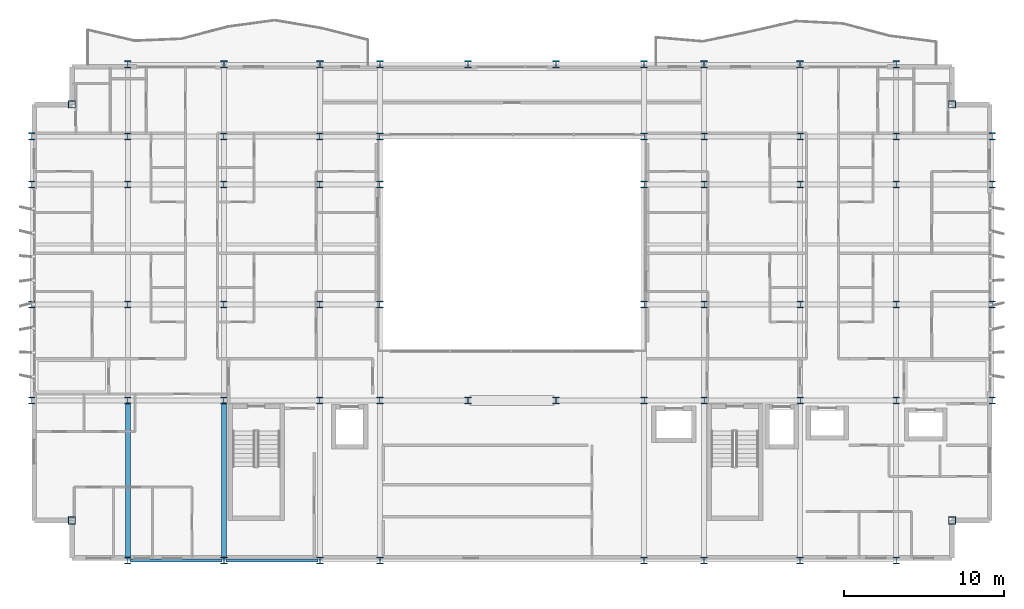
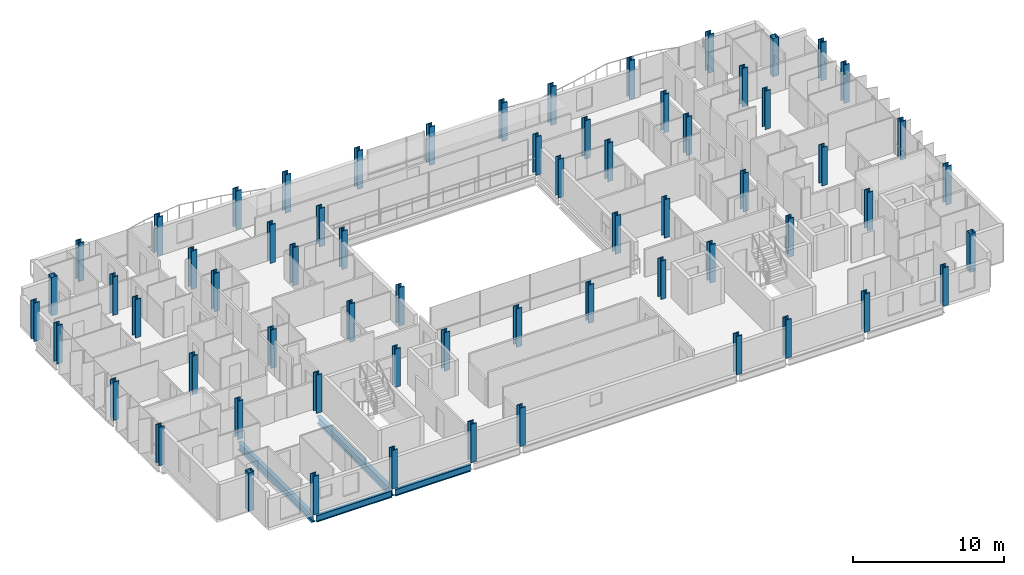
# One storey, part 1 of 39: 64 columns, 4 beams.
"""IFC4 building model written with IfcOpenShell, lengths in metres."""

import ifcopenshell
import ifcopenshell.guid

model = None  # the IFC model being written
_history = None  # IfcOwnerHistory: only IFC2X3 demands one
_inside = {}  # id of a spatial element -> (the spatial element, [elements in it])
_under = {}  # id of a project, library or spatial element -> (it, [spatial elements below it])
_declared = {}  # id of a project -> (the project, [libraries it declares])
_typed = {}  # id of a type object -> (the type object, [elements of that type])
_made_of = {}  # id of a material, layer set ... -> (it, [elements and type objects made of it])


def new_model(schema):
    """Start an empty IFC model of exactly this schema.

    Asked for "IFC4X3", IfcOpenShell would pick the latest addendum, in which some entities
    have other attributes; the version numbers below select the first issue.
    IFC2X3 requires an IfcOwnerHistory on every rooted entity: one is made here for all.
    """
    global model, _history
    if schema == "IFC4X3":
        model = ifcopenshell.file(schema_version=(4, 3, 0, 0))
    else:
        model = ifcopenshell.file(schema=schema)
    _inside.clear()
    _under.clear()
    _declared.clear()
    _typed.clear()
    _made_of.clear()
    _history = None
    if model.schema == "IFC2X3":
        org = make("IfcOrganization", Name="unknown")
        user = make(
            "IfcPersonAndOrganization",
            ThePerson=make("IfcPerson", FamilyName="unknown"),
            TheOrganization=org,
        )
        app = make(
            "IfcApplication",
            ApplicationDeveloper=org,
            Version="unknown",
            ApplicationFullName="unknown",
            ApplicationIdentifier="unknown",
        )
        _history = make(
            "IfcOwnerHistory",
            OwningUser=user,
            OwningApplication=app,
            ChangeAction="ADDED",
            CreationDate=0,
        )
    return model


def make(cls, **values):
    """One entity of the class cls with the attributes given. An attribute that is None is left unset."""
    return model.create_entity(
        cls, **{name: value for name, value in values.items() if value is not None}
    )


def rooted(cls, **values):
    """An entity with a GlobalId (a new one), such as an element, a storey or a relation."""
    return make(cls, GlobalId=ifcopenshell.guid.new(), OwnerHistory=_history, **values)


def si_unit(unit_type, name, prefix=None):
    """IfcSIUnit, for example si_unit("LENGTHUNIT", "METRE", prefix="MILLI")."""
    return make("IfcSIUnit", UnitType=unit_type, Prefix=prefix, Name=name)


def assignment(units):
    """IfcUnitAssignment: the units of a project."""
    return None if units is None else make("IfcUnitAssignment", Units=units)


def point(xyz):
    """IfcCartesianPoint."""
    return None if xyz is None else make("IfcCartesianPoint", Coordinates=xyz)


def direction(xyz):
    """IfcDirection."""
    return None if xyz is None else make("IfcDirection", DirectionRatios=xyz)


def frame(location, z_axis=None, x_axis=None):
    """IfcAxis2Placement3D, a coordinate frame: its origin and axes. An axis left out is left unset."""
    return make(
        "IfcAxis2Placement3D",
        Location=point(location),
        Axis=direction(z_axis),
        RefDirection=direction(x_axis),
    )


def frame_2d(location, x_axis=None):
    """IfcAxis2Placement2D, a coordinate frame in the plane: its origin and x axis."""
    return make(
        "IfcAxis2Placement2D", Location=point(location), RefDirection=direction(x_axis)
    )


def origin():
    """The frame at (0, 0, 0) with its axes left unset."""
    return frame((0.0, 0.0, 0.0))


def origin_2d():
    """The frame at (0, 0) in the plane with its x axis left unset."""
    return frame_2d((0.0, 0.0))


def place(relative_to, where):
    """IfcLocalPlacement: puts the frame where relative to a parent placement (None: the world)."""
    return make(
        "IfcLocalPlacement", PlacementRelTo=relative_to, RelativePlacement=where
    )


def context(
    kind, dimensions, precision=None, world=None, true_north=None, identifier=None
):
    """IfcGeometricRepresentationContext, for example the 3D "Model" context."""
    return make(
        "IfcGeometricRepresentationContext",
        ContextIdentifier=identifier,
        ContextType=kind,
        CoordinateSpaceDimension=dimensions,
        Precision=precision,
        WorldCoordinateSystem=world,
        TrueNorth=true_north,
    )


def subcontext(parent, identifier, kind, view, scale=None):
    """IfcGeometricRepresentationSubContext, for example "Body" below "Model"."""
    return make(
        "IfcGeometricRepresentationSubContext",
        ContextIdentifier=identifier,
        ContextType=kind,
        ParentContext=parent,
        TargetScale=scale,
        TargetView=view,
    )


def project(units=None, contexts=None):
    """IfcProject with its units and contexts."""
    return rooted(
        "IfcProject",
        Name="project",
        RepresentationContexts=contexts,
        UnitsInContext=assignment(units),
    )


def spatial(cls, under=None, at=None, **own):
    """A site, building, storey or space (cls), placed at a placement, below another one or the project."""
    s = rooted(cls, ObjectPlacement=at, **own)
    if under is not None:
        _under.setdefault(under.id(), (under, []))[1].append(s)
    return s


def profile(cls, at=None, kind="AREA", **sizes):
    """A parametric profile (cls). Its sizes go by their IFC names, for example OverallWidth=200.0."""
    return make(cls, ProfileType=kind, Position=at, **sizes)


def hollow_rectangle(**sizes):
    """IfcRectangleHollowProfileDef."""
    return profile("IfcRectangleHollowProfileDef", **sizes)


def i_section(**sizes):
    """IfcIShapeProfileDef."""
    return profile("IfcIShapeProfileDef", **sizes)


def extrude(swept, where, along, depth):
    """IfcExtrudedAreaSolid: the profile swept, set in the frame where, extruded along a direction by depth."""
    return make(
        "IfcExtrudedAreaSolid",
        SweptArea=swept,
        Position=where,
        ExtrudedDirection=direction(along),
        Depth=depth,
    )


def shape(context_of_items, identifier, shape_type, items):
    """IfcShapeRepresentation: the items that make up one representation, for example the "Body"."""
    return make(
        "IfcShapeRepresentation",
        ContextOfItems=context_of_items,
        RepresentationIdentifier=identifier,
        RepresentationType=shape_type,
        Items=items,
    )


def material(Name=None, Category=None):
    """IfcMaterial."""
    return make("IfcMaterial", Name=Name, Category=Category)


def material_profile(
    of_material, cross_section, Name=None, Category=None, Priority=None
):
    """IfcMaterialProfile: a cross section and its material."""
    return make(
        "IfcMaterialProfile",
        Name=Name,
        Material=of_material,
        Profile=cross_section,
        Priority=Priority,
        Category=Category,
    )


def profile_set(profiles, Name=None, composite=None):
    """IfcMaterialProfileSet."""
    return make(
        "IfcMaterialProfileSet",
        Name=Name,
        MaterialProfiles=profiles,
        CompositeProfile=composite,
    )


def made_of(thing, what):
    """Note that an element or type object is made of a material, layer set ...; save() writes the relation."""
    if what is not None:
        _made_of.setdefault(what.id(), (what, []))[1].append(thing)
    return thing


def type_object(cls, material=None, **own):
    """A type object (cls), such as IfcWallType, which elements share."""
    return made_of(rooted(cls, **own), material)


def element(
    cls,
    number,
    at=None,
    inside=None,
    cuts=None,
    type_object=None,
    material=None,
    context=None,
    identifier="Body",
    shape_type=None,
    held_by="IfcProductDefinitionShape",
    body=None,
    shapes=None,
    **own,
):
    """One element of the class cls, such as IfcWall. Its Tag is "e" and its number.

    at: its placement. inside: the storey or other place that contains it. cuts: it is an
    opening in that element (IfcRelVoidsElement). A single representation is given by context,
    identifier, shape_type and body (its items); several are given by shapes. held_by: the class
    of the entity that holds the representations. save() writes the other relations.
    """
    e = rooted(cls, Tag="e%d" % number, ObjectPlacement=at, **own)
    if body is not None:
        shapes = [shape(context, identifier, shape_type, body)]
    if shapes is not None:
        e.Representation = make(held_by, Representations=shapes)
    if inside is not None:
        _inside.setdefault(inside.id(), (inside, []))[1].append(e)
    if cuts is not None:
        rooted(
            "IfcRelVoidsElement", RelatingBuildingElement=cuts, RelatedOpeningElement=e
        )
    if type_object is not None:
        _typed.setdefault(type_object.id(), (type_object, []))[1].append(e)
    return made_of(e, material)


def aggregate(whole, parts):
    """IfcRelAggregates: a whole, such as a stair, and the parts it consists of."""
    return rooted("IfcRelAggregates", RelatingObject=whole, RelatedObjects=parts)


def save(model, path):
    """Write the relations noted so far, then the file.

    IfcRelAggregates (storeys below a building ...), IfcRelContainedInSpatialStructure (elements
    in a storey), IfcRelDefinesByType, IfcRelAssociatesMaterial and IfcRelDeclares: one each for
    every whole, place, type object, material and project.
    """
    for whole, parts in _under.values():
        aggregate(whole, parts)
    for where, things in _inside.values():
        rooted(
            "IfcRelContainedInSpatialStructure",
            RelatedElements=things,
            RelatingStructure=where,
        )
    for kind, things in _typed.values():
        rooted("IfcRelDefinesByType", RelatedObjects=things, RelatingType=kind)
    for what, things in _made_of.values():
        rooted("IfcRelAssociatesMaterial", RelatedObjects=things, RelatingMaterial=what)
    for by, libraries in _declared.values():
        rooted("IfcRelDeclares", RelatingContext=by, RelatedDefinitions=libraries)
    model.write(path)


model = new_model("IFC4")

# Units and contexts
model_context = context("Model", 3, precision=1e-05, world=origin(), true_north=direction((0.0, 1.0)))
body_context = subcontext(model_context, "Body", "Model", "MODEL_VIEW")
ifc_project = project(units=[si_unit("LENGTHUNIT", "METRE"), si_unit("AREAUNIT", "SQUARE_METRE"), si_unit("VOLUMEUNIT", "CUBIC_METRE"), si_unit("PLANEANGLEUNIT", "RADIAN"), si_unit("MASSUNIT", "GRAM", prefix="KILO")], contexts=[model_context])

# Site, building, storey
site_placement = place(None, origin())
site = spatial("IfcSite", under=ifc_project, at=site_placement, CompositionType="ELEMENT")
building_placement = place(site_placement, origin())
building = spatial("IfcBuilding", under=site, at=building_placement, Name="Brevholm Reach", CompositionType="ELEMENT")
storey_placement = place(building_placement, frame((0.0, 0.0, 83.800048828125)))
storey = spatial("IfcBuildingStorey", under=building, at=storey_placement, Name="L24", CompositionType="ELEMENT", Elevation=83.800048828125)

# Columns
ifc_material_1 = material(Name="Structural Steel S460NH", Category="steel")
ifc_material_profile_1 = material_profile(ifc_material_1, hollow_rectangle(XDim=0.449951171875, YDim=0.449951171875, WallThickness=0.02490234375, InnerFilletRadius=0.011962890625, OuterFilletRadius=0.02392578125, at=origin_2d()), Name="SHS 450x450x25")
ifc_profile_set_1 = profile_set([ifc_material_profile_1], Name="Structural Steel S460NH")
column_type_1 = type_object("IfcColumnType", Name="COL-SHS1", PredefinedType="COLUMN", material=ifc_profile_set_1)
for number, where, z_axis, x_axis, name in (
    (1, (2.5, 2.5, 0.0), (0.0, 0.0, 1.0), (1.0, 0.0, 0.0), "L24 Column 05"),
    (2, (2.5, 28.5, 0.0), (0.0, 0.0, 1.0), (1.0, 0.0, 0.0), "L24 Column 06"),
    (3, (57.5, 2.5, 0.0), (0.0, 0.0, 1.0), (1.0, 0.0, 0.0), "L24 Column 59"),
    (4, (57.5, 28.5, 0.0), (0.0, 0.0, 1.0), (1.0, 0.0, 0.0), "L24 Column 60"),
):
    element("IfcColumn", number, at=place(storey_placement, frame(where, z_axis=z_axis, x_axis=x_axis)), inside=storey, type_object=column_type_1, Name=name, PredefinedType="COLUMN", context=body_context, shape_type="SweptSolid", body=[
        extrude(hollow_rectangle(XDim=0.449951171875, YDim=0.449951171875, WallThickness=0.02490234375, InnerFilletRadius=0.011962890625, OuterFilletRadius=0.02392578125, at=origin_2d()), origin(), (0.0, 0.0, 1.0), 3.099853515625),
    ])
ifc_material_2 = material(Name="Structural Steel S460ML", Category="steel")
ifc_material_profile_2 = material_profile(ifc_material_2, i_section(OverallWidth=0.41845703125, OverallDepth=0.45556640625, WebThickness=0.0419921875, FlangeThickness=0.0673828125, FilletRadius=0.01513671875, at=origin_2d()), Name="UKC 356x406x551")
ifc_profile_set_2 = profile_set([ifc_material_profile_2], Name="Structural Steel S460ML")
column_type_2 = type_object("IfcColumnType", Name="COL-UC2", PredefinedType="COLUMN", material=ifc_profile_set_2)
for number, where, z_axis, x_axis, name in (
    (5, (0.0, 10.0, 0.0), (0.0, 0.0, 1.0), (1.0, 0.0, 0.0), "L24 Column 01"),
    (6, (0.0, 16.0, 0.0), (0.0, 0.0, 1.0), (1.0, 0.0, 0.0), "L24 Column 02"),
    (7, (0.0, 23.5, 0.0), (0.0, 0.0, 1.0), (1.0, 0.0, 0.0), "L24 Column 03"),
    (8, (0.0, 26.5, 0.0), (0.0, 0.0, 1.0), (1.0, 0.0, 0.0), "L24 Column 04"),
    (9, (6.0, 0.0, 0.0), (0.0, 0.0, 1.0), (1.0, 0.0, 0.0), "L24 Column 07"),
    (10, (6.0, 31.0, 0.0), (0.0, 0.0, 1.0), (1.0, 0.0, 0.0), "L24 Column 12"),
    (11, (12.0, 0.0, 0.0), (0.0, 0.0, 1.0), (1.0, 0.0, 0.0), "L24 Column 13"),
    (12, (12.0, 31.0, 0.0), (0.0, 0.0, 1.0), (1.0, 0.0, 0.0), "L24 Column 18"),
    (13, (18.0, 0.0, 0.0), (0.0, 0.0, 1.0), (1.0, 0.0, 0.0), "L24 Column 19"),
    (14, (18.0, 31.0, 0.0), (0.0, 0.0, 1.0), (1.0, 0.0, 0.0), "L24 Column 24"),
    (15, (21.75, 0.0, 0.0), (0.0, 0.0, 1.0), (1.0, 0.0, 0.0), "L24 Column 25"),
    (16, (21.75, 31.0, 0.0), (0.0, 0.0, 1.0), (1.0, 0.0, 0.0), "L24 Column 30"),
    (17, (27.25, 31.0, 0.0), (0.0, 0.0, 1.0), (1.0, 0.0, 0.0), "L24 Column 32"),
    (18, (32.75, 31.0, 0.0), (0.0, 0.0, 1.0), (1.0, 0.0, 0.0), "L24 Column 34"),
    (19, (38.25, 0.0, 0.0), (0.0, 0.0, 1.0), (1.0, 0.0, 0.0), "L24 Column 35"),
    (20, (38.25, 31.0, 0.0), (0.0, 0.0, 1.0), (1.0, 0.0, 0.0), "L24 Column 40"),
    (21, (42.0, 0.0, 0.0), (0.0, 0.0, 1.0), (1.0, 0.0, 0.0), "L24 Column 41"),
    (22, (42.0, 31.0, 0.0), (0.0, 0.0, 1.0), (1.0, 0.0, 0.0), "L24 Column 46"),
    (23, (48.0, 0.0, 0.0), (0.0, 0.0, 1.0), (1.0, 0.0, 0.0), "L24 Column 47"),
    (24, (48.0, 31.0, 0.0), (0.0, 0.0, 1.0), (1.0, 0.0, 0.0), "L24 Column 52"),
    (25, (54.0, 0.0, 0.0), (0.0, 0.0, 1.0), (1.0, 0.0, 0.0), "L24 Column 53"),
    (26, (54.0, 31.0, 0.0), (0.0, 0.0, 1.0), (1.0, 0.0, 0.0), "L24 Column 58"),
    (27, (60.0, 10.0, 0.0), (0.0, 0.0, 1.0), (1.0, 0.0, 0.0), "L24 Column 61"),
    (28, (60.0, 16.0, 0.0), (0.0, 0.0, 1.0), (1.0, 0.0, 0.0), "L24 Column 62"),
    (29, (60.0, 23.5, 0.0), (0.0, 0.0, 1.0), (1.0, 0.0, 0.0), "L24 Column 63"),
    (30, (60.0, 26.5, 0.0), (0.0, 0.0, 1.0), (1.0, 0.0, 0.0), "L24 Column 64"),
):
    element("IfcColumn", number, at=place(storey_placement, frame(where, z_axis=z_axis, x_axis=x_axis)), inside=storey, type_object=column_type_2, Name=name, PredefinedType="COLUMN", context=body_context, shape_type="SweptSolid", body=[
        extrude(i_section(OverallWidth=0.41845703125, OverallDepth=0.45556640625, WebThickness=0.0419921875, FlangeThickness=0.0673828125, FilletRadius=0.01513671875, at=origin_2d()), origin(), (0.0, 0.0, 1.0), 3.099853515625),
    ])
ifc_material_3 = material(Name="Structural Steel S460ML", Category="steel")
ifc_material_profile_3 = material_profile(ifc_material_3, i_section(OverallWidth=0.412109375, OverallDepth=0.4365234375, WebThickness=0.035888671875, FlangeThickness=0.05810546875, FilletRadius=0.01513671875, at=origin_2d()), Name="UKC 356x406x467")
ifc_profile_set_3 = profile_set([ifc_material_profile_3], Name="Structural Steel S460ML")
column_type_3 = type_object("IfcColumnType", Name="COL-UC3", PredefinedType="COLUMN", material=ifc_profile_set_3)
for number, where, z_axis, x_axis, name in (
    (31, (6.0, 10.0, 0.0), (0.0, 0.0, 1.0), (1.0, 0.0, 0.0), "L24 Column 08"),
    (32, (6.0, 16.0, 0.0), (0.0, 0.0, 1.0), (1.0, 0.0, 0.0), "L24 Column 09"),
    (33, (6.0, 23.5, 0.0), (0.0, 0.0, 1.0), (1.0, 0.0, 0.0), "L24 Column 10"),
    (34, (6.0, 26.5, 0.0), (0.0, 0.0, 1.0), (1.0, 0.0, 0.0), "L24 Column 11"),
    (35, (12.0, 10.0, 0.0), (0.0, 0.0, 1.0), (1.0, 0.0, 0.0), "L24 Column 14"),
    (36, (12.0, 16.0, 0.0), (0.0, 0.0, 1.0), (1.0, 0.0, 0.0), "L24 Column 15"),
    (37, (12.0, 23.5, 0.0), (0.0, 0.0, 1.0), (1.0, 0.0, 0.0), "L24 Column 16"),
    (38, (12.0, 26.5, 0.0), (0.0, 0.0, 1.0), (1.0, 0.0, 0.0), "L24 Column 17"),
    (39, (18.0, 10.0, 0.0), (0.0, 0.0, 1.0), (1.0, 0.0, 0.0), "L24 Column 20"),
    (40, (18.0, 16.0, 0.0), (0.0, 0.0, 1.0), (1.0, 0.0, 0.0), "L24 Column 21"),
    (41, (18.0, 23.5, 0.0), (0.0, 0.0, 1.0), (1.0, 0.0, 0.0), "L24 Column 22"),
    (42, (18.0, 26.5, 0.0), (0.0, 0.0, 1.0), (1.0, 0.0, 0.0), "L24 Column 23"),
    (43, (21.75, 10.0, 0.0), (0.0, 0.0, 1.0), (1.0, 0.0, 0.0), "L24 Column 26"),
    (44, (21.75, 16.0, 0.0), (0.0, 0.0, 1.0), (1.0, 0.0, 0.0), "L24 Column 27"),
    (45, (21.75, 23.5, 0.0), (0.0, 0.0, 1.0), (1.0, 0.0, 0.0), "L24 Column 28"),
    (46, (21.75, 26.5, 0.0), (0.0, 0.0, 1.0), (1.0, 0.0, 0.0), "L24 Column 29"),
    (47, (27.25, 10.0, 0.0), (0.0, 0.0, 1.0), (1.0, 0.0, 0.0), "L24 Column 31"),
    (48, (32.75, 10.0, 0.0), (0.0, 0.0, 1.0), (1.0, 0.0, 0.0), "L24 Column 33"),
    (49, (38.25, 10.0, 0.0), (0.0, 0.0, 1.0), (1.0, 0.0, 0.0), "L24 Column 36"),
    (50, (38.25, 16.0, 0.0), (0.0, 0.0, 1.0), (1.0, 0.0, 0.0), "L24 Column 37"),
    (51, (38.25, 23.5, 0.0), (0.0, 0.0, 1.0), (1.0, 0.0, 0.0), "L24 Column 38"),
    (52, (38.25, 26.5, 0.0), (0.0, 0.0, 1.0), (1.0, 0.0, 0.0), "L24 Column 39"),
    (53, (42.0, 10.0, 0.0), (0.0, 0.0, 1.0), (1.0, 0.0, 0.0), "L24 Column 42"),
    (54, (42.0, 16.0, 0.0), (0.0, 0.0, 1.0), (1.0, 0.0, 0.0), "L24 Column 43"),
    (55, (42.0, 23.5, 0.0), (0.0, 0.0, 1.0), (1.0, 0.0, 0.0), "L24 Column 44"),
    (56, (42.0, 26.5, 0.0), (0.0, 0.0, 1.0), (1.0, 0.0, 0.0), "L24 Column 45"),
    (57, (48.0, 10.0, 0.0), (0.0, 0.0, 1.0), (1.0, 0.0, 0.0), "L24 Column 48"),
    (58, (48.0, 16.0, 0.0), (0.0, 0.0, 1.0), (1.0, 0.0, 0.0), "L24 Column 49"),
    (59, (48.0, 23.5, 0.0), (0.0, 0.0, 1.0), (1.0, 0.0, 0.0), "L24 Column 50"),
    (60, (48.0, 26.5, 0.0), (0.0, 0.0, 1.0), (1.0, 0.0, 0.0), "L24 Column 51"),
    (61, (54.0, 10.0, 0.0), (0.0, 0.0, 1.0), (1.0, 0.0, 0.0), "L24 Column 54"),
    (62, (54.0, 16.0, 0.0), (0.0, 0.0, 1.0), (1.0, 0.0, 0.0), "L24 Column 55"),
    (63, (54.0, 23.5, 0.0), (0.0, 0.0, 1.0), (1.0, 0.0, 0.0), "L24 Column 56"),
    (64, (54.0, 26.5, 0.0), (0.0, 0.0, 1.0), (1.0, 0.0, 0.0), "L24 Column 57"),
):
    element("IfcColumn", number, at=place(storey_placement, frame(where, z_axis=z_axis, x_axis=x_axis)), inside=storey, type_object=column_type_3, Name=name, PredefinedType="COLUMN", context=body_context, shape_type="SweptSolid", body=[
        extrude(i_section(OverallWidth=0.412109375, OverallDepth=0.4365234375, WebThickness=0.035888671875, FlangeThickness=0.05810546875, FilletRadius=0.01513671875, at=origin_2d()), origin(), (0.0, 0.0, 1.0), 3.099853515625),
    ])

# Beams
ifc_material_4 = material(Name="Structural Steel S355J2", Category="steel")
ifc_material_profile_4 = material_profile(ifc_material_4, i_section(OverallWidth=0.210693359375, OverallDepth=0.53955078125, WebThickness=0.01171875, FlangeThickness=0.018798828125, FilletRadius=0.0126953125, at=origin_2d()), Name="UKB 533x210x109")
ifc_profile_set_4 = profile_set([ifc_material_profile_4], Name="Structural Steel S355J2")
beam_type_1 = type_object("IfcBeamType", Name="BM-SP539", PredefinedType="SPANDREL", material=ifc_profile_set_4)
for number, where, z_axis, x_axis, name in (
    (65, (6.1201171875, 0.0, -0.499755859375), (1.0, 0.0, 0.0), (0.0, 1.0, 0.0), "L24 SP-01B Framing Beam"),
    (66, (12.1201171875, 0.0, -0.499755859375), (1.0, 0.0, 0.0), (0.0, 1.0, 0.0), "L24 SP-01B Framing Beam"),
):
    element("IfcBeam", number, at=place(storey_placement, frame(where, z_axis=z_axis, x_axis=x_axis)), inside=storey, type_object=beam_type_1, Name=name, PredefinedType="SPANDREL", context=body_context, shape_type="SweptSolid", body=[
        extrude(i_section(OverallWidth=0.210693359375, OverallDepth=0.53955078125, WebThickness=0.01171875, FlangeThickness=0.018798828125, FilletRadius=0.0126953125, at=origin_2d()), origin(), (0.0, 0.0, 1.0), 5.759765625),
    ])
ifc_material_5 = material(Name="Structural Steel S355J2", Category="steel")
ifc_material_profile_5 = material_profile(ifc_material_5, i_section(OverallWidth=0.30712890625, OverallDepth=0.6201171875, WebThickness=0.01416015625, FlangeThickness=0.023681640625, FilletRadius=0.0166015625, at=origin_2d()), Name="UKB 610x305x179")
ifc_profile_set_5 = profile_set([ifc_material_profile_5], Name="Structural Steel S355J2")
beam_type_2 = type_object("IfcBeamType", Name="BM-UKB610H", PredefinedType="USERDEFINED", material=ifc_profile_set_5)
for number, where, z_axis, x_axis, name in (
    (67, (6.0, 0.1201171875, -0.5400390625), (0.0, 1.0, 0.0), (-1.0, 0.0, 0.0), "L24 G-06 Framing Beam"),
    (68, (12.0, 0.1201171875, -0.5400390625), (0.0, 1.0, 0.0), (-1.0, 0.0, 0.0), "L24 G-06 Framing Beam"),
):
    element("IfcBeam", number, at=place(storey_placement, frame(where, z_axis=z_axis, x_axis=x_axis)), inside=storey, type_object=beam_type_2, Name=name, ObjectType="GIRDER", PredefinedType="USERDEFINED", context=body_context, shape_type="SweptSolid", body=[
        extrude(i_section(OverallWidth=0.30712890625, OverallDepth=0.6201171875, WebThickness=0.01416015625, FlangeThickness=0.023681640625, FilletRadius=0.0166015625, at=origin_2d()), origin(), (0.0, 0.0, 1.0), 9.759765625),
    ])

save(model, "model.ifc")
